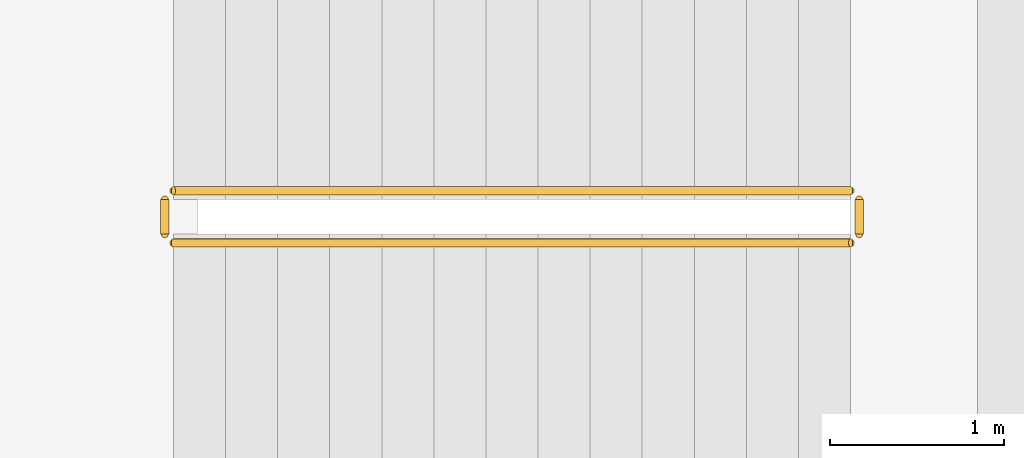
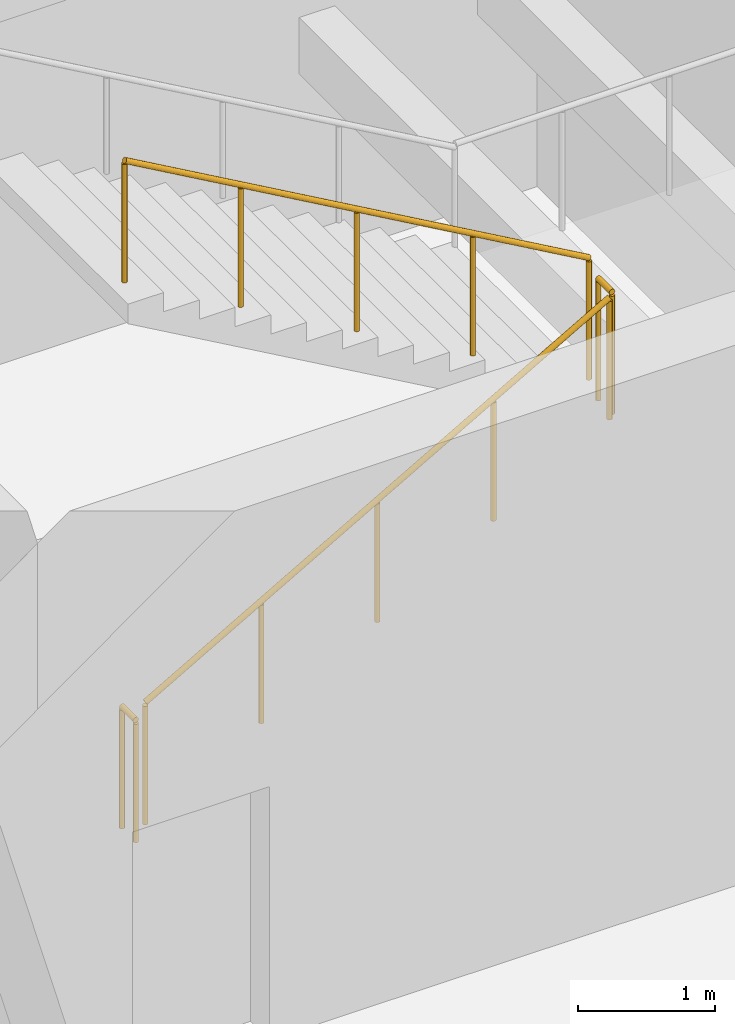
# One storey, part 56 of 61: 4 railings.
"""IFC4 building model written with IfcOpenShell, lengths in metres."""

from ifc_helpers import new_model, si_unit, direction, frame, origin, origin_2d, place, context, subcontext, project, spatial, circle, extrude, material, type_object, element, save


model = new_model("IFC4")

# Units and contexts
model_context = context("Model", 3, precision=1e-05, world=origin(), true_north=direction((0.0, 1.0)))
body_context = subcontext(model_context, "Body", "Model", "MODEL_VIEW")
ifc_project = project(units=[si_unit("LENGTHUNIT", "METRE"), si_unit("AREAUNIT", "SQUARE_METRE"), si_unit("VOLUMEUNIT", "CUBIC_METRE"), si_unit("PLANEANGLEUNIT", "RADIAN"), si_unit("MASSUNIT", "GRAM", prefix="KILO")], contexts=[model_context])

# Site, building, storey
site_placement = place(None, origin())
site = spatial("IfcSite", under=ifc_project, at=site_placement, CompositionType="ELEMENT")
building_placement = place(site_placement, origin())
building = spatial("IfcBuilding", under=site, at=building_placement, Name="Tarnveldt Square Police Headquarters", CompositionType="ELEMENT")
storey_placement = place(building_placement, frame((0.0, 0.0, 5.39990234375)))
storey = spatial("IfcBuildingStorey", under=building, at=storey_placement, Name="L01", CompositionType="ELEMENT", Elevation=5.39990234375)

# Railings
ifc_material = material(Name="Steel 350W", Category="steel")
railing_type = type_object("IfcRailingType", Name="RL-GR-1100", PredefinedType="GUARDRAIL", material=ifc_material)
railing_1_placement = place(storey_placement, frame((108.3701171875, 62.719970703125, 0.171630859375)))
element("IfcRailing", 1, at=railing_1_placement, inside=storey, type_object=railing_type, Name="L01 ST4 stair guard 1", PredefinedType="GUARDRAIL", context=body_context, shape_type="SweptSolid", body=[
    extrude(circle(Radius=0.02392578125, at=origin_2d()), frame((0.0, 0.0, 1.076171875), z_axis=(0.868243142124, 0.0, 0.496138938357), x_axis=(0.0, 1.0, 0.0)), (0.0, 0.0, 1.0), 4.49169921875),
    extrude(circle(Radius=0.02099609375, at=origin_2d()), origin(), (0.0, 0.0, 1.0), 1.052001953125),
    extrude(circle(Radius=0.02099609375, at=origin_2d()), frame((0.97509765625, 0.0, 0.55712890625)), (0.0, 0.0, 1.0), 1.052001953125),
    extrude(circle(Radius=0.02099609375, at=origin_2d()), frame((1.949951171875, 0.0, 1.1142578125)), (0.0, 0.0, 1.0), 1.052001953125),
    extrude(circle(Radius=0.02099609375, at=origin_2d()), frame((2.9248046875, 0.0, 1.67138671875)), (0.0, 0.0, 1.0), 1.052001953125),
    extrude(circle(Radius=0.02099609375, at=origin_2d()), frame((3.89990234375, 0.0, 2.228515625)), (0.0, 0.0, 1.0), 1.052001953125),
])
railing_2_placement = place(storey_placement, frame((112.320068359375, 62.77001953125, 2.400146484375)))
element("IfcRailing", 2, at=railing_2_placement, inside=storey, type_object=railing_type, Name="L01 ST4 stair guard 2", PredefinedType="GUARDRAIL", context=body_context, shape_type="SweptSolid", body=[
    extrude(circle(Radius=0.02392578125, at=origin_2d()), frame((0.0, 0.0, 1.076171875), z_axis=(0.0, 1.0, 0.0), x_axis=(-1.0, 0.0, 0.0)), (0.0, 0.0, 1.0), 0.199951171875),
    extrude(circle(Radius=0.02099609375, at=origin_2d()), origin(), (0.0, 0.0, 1.0), 1.052001953125),
    extrude(circle(Radius=0.02099609375, at=origin_2d()), frame((0.0, 0.199951171875, 0.0)), (0.0, 0.0, 1.0), 1.052001953125),
])
railing_3_placement = place(storey_placement, frame((112.27001953125, 63.02001953125, 2.571533203125)))
element("IfcRailing", 3, at=railing_3_placement, inside=storey, type_object=railing_type, Name="L01 ST4 stair guard 4", PredefinedType="GUARDRAIL", context=body_context, shape_type="SweptSolid", body=[
    extrude(circle(Radius=0.02392578125, at=origin_2d()), frame((0.0, 0.0, 1.076171875), z_axis=(-0.868243142124, 0.0, 0.496138938357), x_axis=(0.0, -1.0, 0.0)), (0.0, 0.0, 1.0), 4.49169921875),
    extrude(circle(Radius=0.02099609375, at=origin_2d()), origin(), (0.0, 0.0, 1.0), 1.052001953125),
    extrude(circle(Radius=0.02099609375, at=origin_2d()), frame((-0.97509765625, 0.0, 0.55712890625)), (0.0, 0.0, 1.0), 1.052001953125),
    extrude(circle(Radius=0.02099609375, at=origin_2d()), frame((-1.949951171875, 0.0, 1.1142578125)), (0.0, 0.0, 1.0), 1.052001953125),
    extrude(circle(Radius=0.02099609375, at=origin_2d()), frame((-2.9248046875, 0.0, 1.67138671875)), (0.0, 0.0, 1.0), 1.052001953125),
    extrude(circle(Radius=0.02099609375, at=origin_2d()), frame((-3.89990234375, 0.0, 2.228515625)), (0.0, 0.0, 1.0), 1.052001953125),
])
railing_4_placement = place(storey_placement, frame((108.320068359375, 62.77001953125, 0.0)))
element("IfcRailing", 4, at=railing_4_placement, inside=storey, type_object=railing_type, Name="L01 ST4 stair guard 5", PredefinedType="GUARDRAIL", context=body_context, shape_type="SweptSolid", body=[
    extrude(circle(Radius=0.02392578125, at=origin_2d()), frame((0.0, 0.0, 1.076171875), z_axis=(0.0, 1.0, 0.0), x_axis=(-1.0, 0.0, 0.0)), (0.0, 0.0, 1.0), 0.199951171875),
    extrude(circle(Radius=0.02099609375, at=origin_2d()), origin(), (0.0, 0.0, 1.0), 1.052001953125),
    extrude(circle(Radius=0.02099609375, at=origin_2d()), frame((0.0, 0.199951171875, 0.0)), (0.0, 0.0, 1.0), 1.052001953125),
])

save(model, "model.ifc")
